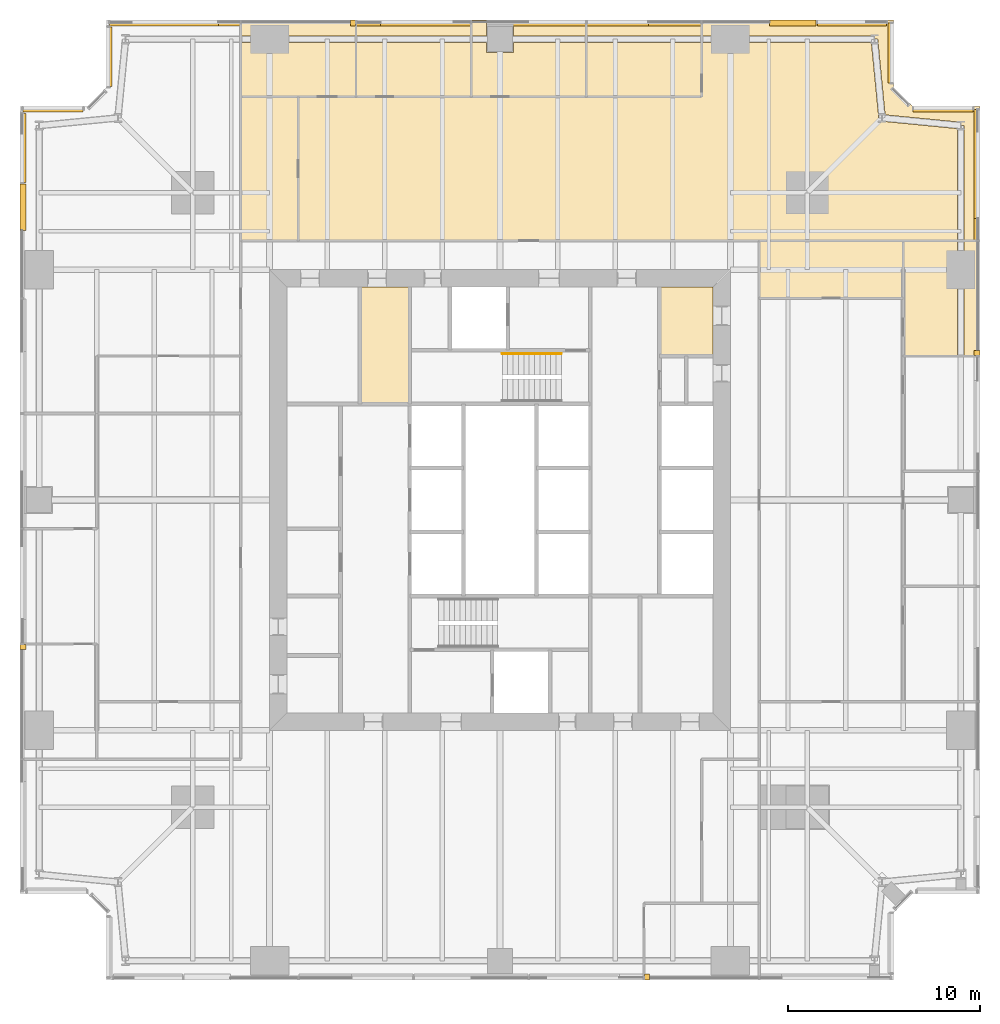
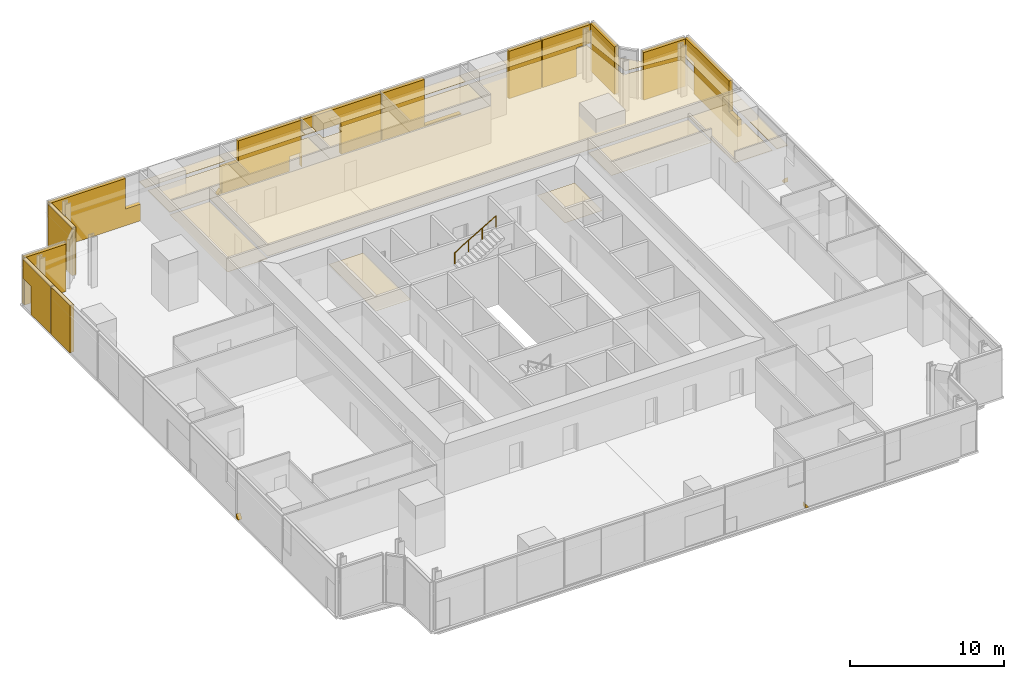
# One storey, part 13 of 13: 34 coverings, 1 railing.
"""IFC4 building model written with IfcOpenShell, lengths in metres."""

from ifc_helpers import new_model, si_unit, direction, frame, origin, origin_2d, place, context, subcontext, project, spatial, polyline, circle, outline, extrude, material, layer, layer_set, type_object, element, save


model = new_model("IFC4")

# Units and contexts
model_context = context("Model", 3, precision=1e-05, world=origin(), true_north=direction((0.0, 1.0)))
body_context = subcontext(model_context, "Body", "Model", "MODEL_VIEW")
ifc_project = project(units=[si_unit("LENGTHUNIT", "METRE"), si_unit("AREAUNIT", "SQUARE_METRE"), si_unit("VOLUMEUNIT", "CUBIC_METRE"), si_unit("PLANEANGLEUNIT", "RADIAN"), si_unit("MASSUNIT", "GRAM", prefix="KILO")], contexts=[model_context])

# Site, building, storey
site_placement = place(None, origin())
site = spatial("IfcSite", under=ifc_project, at=site_placement, CompositionType="ELEMENT")
building_placement = place(site_placement, origin())
building = spatial("IfcBuilding", under=site, at=building_placement, Name="Fenwick Lantern Interchange", CompositionType="ELEMENT")
storey_placement = place(building_placement, frame((0.0, 0.0, 138.39990234375)))
storey = spatial("IfcBuildingStorey", under=building, at=storey_placement, Name="L32", CompositionType="ELEMENT", Elevation=138.39990234375)

# Coverings
ifc_material_1 = material(Name="Mineral fibre acoustic tile on suspended grid")
ifc_layer_1 = layer(ifc_material_1, 0.02001953125)
ifc_layer_set_1 = layer_set([ifc_layer_1], Name="ACOUSTIC TILE CEILING 20")
covering_type_1 = type_object("IfcCoveringType", Name="ACOUSTIC TILE CEILING 20", PredefinedType="CEILING", material=ifc_layer_set_1)
covering_1_placement = place(storey_placement, frame((0.0, 0.0, 2.900146484375)))
element("IfcCovering", 1, at=covering_1_placement, inside=storey, type_object=covering_type_1, Name="Office ceiling", PredefinedType="CEILING", context=body_context, shape_type="SweptSolid", body=[
    extrude(outline(polyline([(46.0, 32.5), (48.82763671875, 32.5), (48.82763671875, 37.0), (48.82763671875, 38.5), (46.0, 38.5), (46.0, 32.5)])), origin(), (0.0, 0.0, 1.0), 0.02001953125),
])
covering_2_placement = place(storey_placement, frame((0.0, 0.0, 2.900146484375)))
element("IfcCovering", 2, at=covering_2_placement, inside=storey, type_object=covering_type_1, Name="Office ceiling", PredefinedType="CEILING", context=body_context, shape_type="SweptSolid", body=[
    extrude(outline(polyline([(50.0, 38.5), (49.17236328125, 38.5), (49.17236328125, 37.0), (49.17236328125, 32.5), (50.0, 32.5), (50.0, 38.5)])), origin(), (0.0, 0.0, 1.0), 0.02001953125),
])
covering_3_placement = place(storey_placement, frame((0.0, 0.0, 2.900146484375)))
element("IfcCovering", 3, at=covering_3_placement, inside=storey, type_object=covering_type_1, Name="Office suite ceiling", PredefinedType="CEILING", context=body_context, shape_type="SweptSolid", body=[
    extrude(outline(polyline([(14.5, 38.5), (48.82763671875, 38.5), (48.82763671875, 44.343505859375), (44.88330078125, 44.728515625), (44.89990234375, 44.89990234375), (44.728515625, 44.88330078125), (44.343505859375, 48.82763671875), (37.0, 48.82763671875), (35.5, 48.82763671875), (35.5, 46.0), (14.5, 46.0), (14.5, 38.5)])), origin(), (0.0, 0.0, 1.0), 0.02001953125),
])
covering_4_placement = place(storey_placement, frame((0.0, 0.0, 2.900146484375)))
element("IfcCovering", 4, at=covering_4_placement, inside=storey, type_object=covering_type_1, Name="Office suite ceiling", PredefinedType="CEILING", context=body_context, shape_type="SweptSolid", body=[
    extrude(outline(polyline([(50.0, 38.5), (50.0, 45.5), (46.5, 45.5), (45.5, 46.5), (45.5, 50.0), (35.5, 50.0), (35.5, 49.17236328125), (37.0, 49.17236328125), (44.5, 49.17236328125), (44.5, 49.0), (44.671630859375, 49.016845703125), (45.057861328125, 45.057861328125), (49.016845703125, 44.671630859375), (49.0, 44.5), (49.17236328125, 44.5), (49.17236328125, 38.5), (50.0, 38.5)])), origin(), (0.0, 0.0, 1.0), 0.02001953125),
])
covering_5_placement = place(storey_placement, frame((0.0, 0.0, 2.900146484375)))
element("IfcCovering", 5, at=covering_5_placement, inside=storey, type_object=covering_type_1, Name="Office ceiling", PredefinedType="CEILING", context=body_context, shape_type="SweptSolid", body=[
    extrude(outline(polyline([(35.5, 46.0), (35.5, 48.82763671875), (29.5, 48.82763671875), (29.5, 46.0), (35.5, 46.0)])), origin(), (0.0, 0.0, 1.0), 0.02001953125),
])
covering_6_placement = place(storey_placement, frame((0.0, 0.0, 2.900146484375)))
element("IfcCovering", 6, at=covering_6_placement, inside=storey, type_object=covering_type_1, Name="Office ceiling", PredefinedType="CEILING", context=body_context, shape_type="SweptSolid", body=[
    extrude(outline(polyline([(29.5, 50.0), (29.5, 49.17236328125), (35.5, 49.17236328125), (35.5, 50.0), (29.5, 50.0)])), origin(), (0.0, 0.0, 1.0), 0.02001953125),
])
covering_7_placement = place(storey_placement, frame((0.0, 0.0, 2.900146484375)))
element("IfcCovering", 7, at=covering_7_placement, inside=storey, type_object=covering_type_1, Name="Office ceiling", PredefinedType="CEILING", context=body_context, shape_type="SweptSolid", body=[
    extrude(outline(polyline([(29.5, 46.0), (29.5, 48.82763671875), (25.699951171875, 48.82763671875), (25.699951171875, 48.300048828125), (24.300048828125, 48.300048828125), (24.300048828125, 48.82763671875), (23.5, 48.82763671875), (23.5, 46.0), (29.5, 46.0)])), origin(), (0.0, 0.0, 1.0), 0.02001953125),
])
covering_8_placement = place(storey_placement, frame((0.0, 0.0, 2.900146484375)))
element("IfcCovering", 8, at=covering_8_placement, inside=storey, type_object=covering_type_1, Name="Office ceiling", PredefinedType="CEILING", context=body_context, shape_type="SweptSolid", body=[
    extrude(outline(polyline([(29.5, 49.17236328125), (29.5, 50.0), (25.699951171875, 50.0), (25.699951171875, 49.17236328125), (29.5, 49.17236328125)])), origin(), (0.0, 0.0, 1.0), 0.02001953125),
])
covering_9_placement = place(storey_placement, frame((0.0, 0.0, 2.900146484375)))
element("IfcCovering", 9, at=covering_9_placement, inside=storey, type_object=covering_type_1, Name="Office ceiling", PredefinedType="CEILING", context=body_context, shape_type="SweptSolid", body=[
    extrude(outline(polyline([(23.5, 50.0), (23.5, 49.17236328125), (24.300048828125, 49.17236328125), (24.300048828125, 50.0), (23.5, 50.0)])), origin(), (0.0, 0.0, 1.0), 0.02001953125),
])
covering_10_placement = place(storey_placement, frame((0.0, 0.0, 2.900146484375)))
element("IfcCovering", 10, at=covering_10_placement, inside=storey, type_object=covering_type_1, Name="Office ceiling", PredefinedType="CEILING", context=body_context, shape_type="SweptSolid", body=[
    extrude(outline(polyline([(23.5, 46.0), (23.5, 48.82763671875), (17.5, 48.82763671875), (17.5, 46.0), (23.5, 46.0)])), origin(), (0.0, 0.0, 1.0), 0.02001953125),
])
covering_11_placement = place(storey_placement, frame((0.0, 0.0, 2.900146484375)))
element("IfcCovering", 11, at=covering_11_placement, inside=storey, type_object=covering_type_1, Name="Office ceiling", PredefinedType="CEILING", context=body_context, shape_type="SweptSolid", body=[
    extrude(outline(polyline([(17.5, 50.0), (17.5, 49.17236328125), (23.5, 49.17236328125), (23.5, 50.0), (17.5, 50.0)])), origin(), (0.0, 0.0, 1.0), 0.02001953125),
])
covering_12_placement = place(storey_placement, frame((0.0, 0.0, 2.900146484375)))
element("IfcCovering", 12, at=covering_12_placement, inside=storey, type_object=covering_type_1, Name="Meeting room ceiling", PredefinedType="CEILING", context=body_context, shape_type="SweptSolid", body=[
    extrude(outline(polyline([(17.5, 46.0), (17.5, 48.82763671875), (13.0, 48.82763671875), (11.5, 48.82763671875), (11.5, 46.0), (17.5, 46.0)])), origin(), (0.0, 0.0, 1.0), 0.02001953125),
])
covering_13_placement = place(storey_placement, frame((0.0, 0.0, 2.900146484375)))
element("IfcCovering", 13, at=covering_13_placement, inside=storey, type_object=covering_type_1, Name="Meeting room ceiling", PredefinedType="CEILING", context=body_context, shape_type="SweptSolid", body=[
    extrude(outline(polyline([(11.5, 50.0), (11.5, 49.17236328125), (13.0, 49.17236328125), (17.5, 49.17236328125), (17.5, 50.0), (11.5, 50.0)])), origin(), (0.0, 0.0, 1.0), 0.02001953125),
])
ifc_material_2 = material(Name="Granite cladding, warm grey flamed finish, on aluminium carrier frame", Category="masonry")
ifc_layer_2 = layer(ifc_material_2, 0.300048828125)
ifc_layer_set_2 = layer_set([ifc_layer_2], Name="BRACE CASING PANEL 300")
covering_type_2 = type_object("IfcCoveringType", Name="BRACE CASING PANEL 300", PredefinedType="CLADDING", material=ifc_layer_set_2)
for number, where, z_axis, x_axis, name in (
    (14, (4.60009765625, 0.10009765625, 0.0), (0.0, 0.0, 1.0), (1.0, 0.0, 0.0), "Brace casing 01 bay 05a"),
    (15, (49.89990234375, 4.60009765625, 0.0), (0.0, 0.0, 1.0), (0.0, 1.0, 0.0), "Brace casing 05 bay 05a"),
):
    element("IfcCovering", number, at=place(storey_placement, frame(where, z_axis=z_axis, x_axis=x_axis)), inside=storey, type_object=covering_type_2, Name=name, PredefinedType="CLADDING", context=body_context, shape_type="SweptSolid", body=[
        extrude(outline(polyline([(27.9326171875, 0.0), (28.195556640625, 0.0), (27.9326171875, 0.350830078125), (27.9326171875, 0.0)])), frame((0.0, 0.2001953125, 0.0), z_axis=(0.0, -1.0, 0.0), x_axis=(1.0, 0.0, 0.0)), (0.0, 0.0, 1.0), 0.300048828125),
    ])
covering_14_placement = place(storey_placement, frame((49.89990234375, 4.60009765625, 0.0), z_axis=(0.0, 0.0, 1.0), x_axis=(0.0, 1.0, 0.0)))
element("IfcCovering", 16, at=covering_14_placement, inside=storey, type_object=covering_type_2, Name="Brace casing 05 bay 06a", PredefinedType="CLADDING", context=body_context, shape_type="SweptSolid", body=[
    extrude(outline(polyline([(33.9326171875, 0.0), (39.576904296875, 0.0), (39.576904296875, 2.464111328125), (40.735107421875, 2.464111328125), (40.735107421875, 3.75), (35.067626953125, 3.75), (35.067626953125, 1.32568359375), (33.9326171875, 1.32568359375), (33.9326171875, 0.0)])), frame((0.0, 0.2001953125, 0.0), z_axis=(0.0, -1.0, 0.0), x_axis=(1.0, 0.0, 0.0)), (0.0, 0.0, 1.0), 0.300048828125),
])
for number, where, z_axis, x_axis, name in (
    (17, (49.89990234375, 45.39990234375, 0.0), (0.0, 0.0, 1.0), (-1.0, 0.0, 0.0), "Brace casing 06 bay 00a"),
    (18, (45.39990234375, 46.45849609375, 0.0), (0.0, 0.0, 1.0), (0.0, 1.0, 0.0), "Brace casing 08 bay 00a"),
):
    element("IfcCovering", number, at=place(storey_placement, frame(where, z_axis=z_axis, x_axis=x_axis)), inside=storey, type_object=covering_type_2, Name=name, PredefinedType="CLADDING", context=body_context, shape_type="SweptSolid", body=[
        extrude(outline(polyline([(0.264892578125, 0.0), (3.37646484375, 0.0), (3.37646484375, 3.75), (0.264892578125, 3.75), (0.264892578125, 0.0)])), frame((0.0, 0.2001953125, 0.0), z_axis=(0.0, -1.0, 0.0), x_axis=(1.0, 0.0, 0.0)), (0.0, 0.0, 1.0), 0.300048828125),
    ])
covering_15_placement = place(storey_placement, frame((45.39990234375, 49.89990234375, 0.0), z_axis=(0.0, 0.0, 1.0), x_axis=(-1.0, 0.0, 0.0)))
element("IfcCovering", 19, at=covering_15_placement, inside=storey, type_object=covering_type_2, Name="Brace casing 09 bay 00a", PredefinedType="CLADDING", context=body_context, shape_type="SweptSolid", body=[
    extrude(outline(polyline([(1.320068359375, 0.0), (3.867431640625, 0.0), (3.867431640625, 3.75), (0.264892578125, 3.75), (0.264892578125, 2.257080078125), (1.320068359375, 2.257080078125), (1.320068359375, 0.0)])), frame((0.0, 0.2001953125, 0.0), z_axis=(0.0, -1.0, 0.0), x_axis=(1.0, 0.0, 0.0)), (0.0, 0.0, 1.0), 0.300048828125),
])
covering_16_placement = place(storey_placement, frame((45.39990234375, 49.89990234375, 0.0), z_axis=(0.0, 0.0, 1.0), x_axis=(-1.0, 0.0, 0.0)))
element("IfcCovering", 20, at=covering_16_placement, inside=storey, type_object=covering_type_2, Name="Brace casing 09 bay 01a", PredefinedType="CLADDING", context=body_context, shape_type="SweptSolid", body=[
    extrude(outline(polyline([(3.9326171875, 0.0), (6.35595703125, 0.0), (6.35595703125, 3.75), (3.9326171875, 3.75), (3.9326171875, 0.0)])), frame((0.0, 0.2001953125, 0.0), z_axis=(0.0, -1.0, 0.0), x_axis=(1.0, 0.0, 0.0)), (0.0, 0.0, 1.0), 0.300048828125),
])
covering_17_placement = place(storey_placement, frame((45.39990234375, 49.89990234375, 0.0), z_axis=(0.0, 0.0, 1.0), x_axis=(-1.0, 0.0, 0.0)))
element("IfcCovering", 21, at=covering_17_placement, inside=storey, type_object=covering_type_2, Name="Brace casing 09 bay 02a", PredefinedType="CLADDING", context=body_context, shape_type="SweptSolid", body=[
    extrude(outline(polyline([(9.9326171875, 0.0), (15.867431640625, 0.0), (15.867431640625, 3.75), (12.672607421875, 3.75), (12.672607421875, 0.0908203125), (9.9326171875, 0.0908203125), (9.9326171875, 0.0)])), frame((0.0, 0.2001953125, 0.0), z_axis=(0.0, -1.0, 0.0), x_axis=(1.0, 0.0, 0.0)), (0.0, 0.0, 1.0), 0.300048828125),
])
covering_18_placement = place(storey_placement, frame((45.39990234375, 49.89990234375, 0.0), z_axis=(0.0, 0.0, 1.0), x_axis=(-1.0, 0.0, 0.0)))
element("IfcCovering", 22, at=covering_18_placement, inside=storey, type_object=covering_type_2, Name="Brace casing 09 bay 03a", PredefinedType="CLADDING", context=body_context, shape_type="SweptSolid", body=[
    extrude(outline(polyline([(15.9326171875, 0.0), (18.9345703125, 0.0), (18.9345703125, 2.440185546875), (21.864501953125, 2.440185546875), (21.864501953125, 0.0), (21.867431640625, 0.0), (21.867431640625, 3.75), (15.9326171875, 3.75), (15.9326171875, 0.0)])), frame((0.0, 0.2001953125, 0.0), z_axis=(0.0, -1.0, 0.0), x_axis=(1.0, 0.0, 0.0)), (0.0, 0.0, 1.0), 0.300048828125),
])
covering_19_placement = place(storey_placement, frame((45.39990234375, 49.89990234375, 0.0), z_axis=(0.0, 0.0, 1.0), x_axis=(-1.0, 0.0, 0.0)))
element("IfcCovering", 23, at=covering_19_placement, inside=storey, type_object=covering_type_2, Name="Brace casing 09 bay 04a", PredefinedType="CLADDING", context=body_context, shape_type="SweptSolid", body=[
    extrude(outline(polyline([(22.8125, 0.0), (27.867431640625, 0.0), (27.867431640625, 2.0966796875), (26.623046875, 2.0966796875), (26.623046875, 3.75), (21.9326171875, 3.75), (21.9326171875, 1.177490234375), (22.8125, 1.177490234375), (22.8125, 0.0)])), frame((0.0, 0.2001953125, 0.0), z_axis=(0.0, -1.0, 0.0), x_axis=(1.0, 0.0, 0.0)), (0.0, 0.0, 1.0), 0.300048828125),
])
covering_20_placement = place(storey_placement, frame((45.39990234375, 49.89990234375, 0.0), z_axis=(0.0, 0.0, 1.0), x_axis=(-1.0, 0.0, 0.0)))
element("IfcCovering", 24, at=covering_20_placement, inside=storey, type_object=covering_type_2, Name="Brace casing 09 bay 05a", PredefinedType="CLADDING", context=body_context, shape_type="SweptSolid", body=[
    extrude(outline(polyline([(27.9326171875, 0.0), (28.195556640625, 0.0), (27.9326171875, 0.350830078125), (27.9326171875, 0.0)])), frame((0.0, 0.2001953125, 0.0), z_axis=(0.0, -1.0, 0.0), x_axis=(1.0, 0.0, 0.0)), (0.0, 0.0, 1.0), 0.300048828125),
])
covering_21_placement = place(storey_placement, frame((45.39990234375, 49.89990234375, 0.0), z_axis=(0.0, 0.0, 1.0), x_axis=(-1.0, 0.0, 0.0)))
element("IfcCovering", 25, at=covering_21_placement, inside=storey, type_object=covering_type_2, Name="Brace casing 09 bay 06a", PredefinedType="CLADDING", context=body_context, shape_type="SweptSolid", body=[
    extrude(outline(polyline([(33.9326171875, 0.0), (39.576904296875, 0.0), (39.576904296875, 2.464111328125), (40.735107421875, 2.464111328125), (40.735107421875, 3.75), (35.067626953125, 3.75), (35.067626953125, 1.32568359375), (33.9326171875, 1.32568359375), (33.9326171875, 0.0)])), frame((0.0, 0.2001953125, 0.0), z_axis=(0.0, -1.0, 0.0), x_axis=(1.0, 0.0, 0.0)), (0.0, 0.0, 1.0), 0.300048828125),
])
for number, where, z_axis, x_axis, name in (
    (26, (4.60009765625, 49.89990234375, 0.0), (0.0, 0.0, 1.0), (0.0, -1.0, 0.0), "Brace casing 10 bay 00a"),
    (27, (3.54150390625, 45.39990234375, 0.0), (0.0, 0.0, 1.0), (-1.0, 0.0, 0.0), "Brace casing 12 bay 00a"),
):
    element("IfcCovering", number, at=place(storey_placement, frame(where, z_axis=z_axis, x_axis=x_axis)), inside=storey, type_object=covering_type_2, Name=name, PredefinedType="CLADDING", context=body_context, shape_type="SweptSolid", body=[
        extrude(outline(polyline([(0.264892578125, 0.0), (3.37646484375, 0.0), (3.37646484375, 3.75), (0.264892578125, 3.75), (0.264892578125, 0.0)])), frame((0.0, 0.2001953125, 0.0), z_axis=(0.0, -1.0, 0.0), x_axis=(1.0, 0.0, 0.0)), (0.0, 0.0, 1.0), 0.300048828125),
    ])
covering_22_placement = place(storey_placement, frame((0.10009765625, 45.39990234375, 0.0), z_axis=(0.0, 0.0, 1.0), x_axis=(0.0, -1.0, 0.0)))
element("IfcCovering", 28, at=covering_22_placement, inside=storey, type_object=covering_type_2, Name="Brace casing 13 bay 00a", PredefinedType="CLADDING", context=body_context, shape_type="SweptSolid", body=[
    extrude(outline(polyline([(1.320068359375, 0.0), (3.867431640625, 0.0), (3.867431640625, 3.75), (0.264892578125, 3.75), (0.264892578125, 2.257080078125), (1.320068359375, 2.257080078125), (1.320068359375, 0.0)])), frame((0.0, 0.2001953125, 0.0), z_axis=(0.0, -1.0, 0.0), x_axis=(1.0, 0.0, 0.0)), (0.0, 0.0, 1.0), 0.300048828125),
])
covering_23_placement = place(storey_placement, frame((0.10009765625, 45.39990234375, 0.0), z_axis=(0.0, 0.0, 1.0), x_axis=(0.0, -1.0, 0.0)))
element("IfcCovering", 29, at=covering_23_placement, inside=storey, type_object=covering_type_2, Name="Brace casing 13 bay 01a", PredefinedType="CLADDING", context=body_context, shape_type="SweptSolid", body=[
    extrude(outline(polyline([(3.9326171875, 0.0), (6.35595703125, 0.0), (6.35595703125, 3.75), (3.9326171875, 3.75), (3.9326171875, 0.0)])), frame((0.0, 0.2001953125, 0.0), z_axis=(0.0, -1.0, 0.0), x_axis=(1.0, 0.0, 0.0)), (0.0, 0.0, 1.0), 0.300048828125),
])
covering_24_placement = place(storey_placement, frame((0.10009765625, 45.39990234375, 0.0), z_axis=(0.0, 0.0, 1.0), x_axis=(0.0, -1.0, 0.0)))
element("IfcCovering", 30, at=covering_24_placement, inside=storey, type_object=covering_type_2, Name="Brace casing 13 bay 05a", PredefinedType="CLADDING", context=body_context, shape_type="SweptSolid", body=[
    extrude(outline(polyline([(27.9326171875, 0.0), (28.195556640625, 0.0), (27.9326171875, 0.350830078125), (27.9326171875, 0.0)])), frame((0.0, 0.2001953125, 0.0), z_axis=(0.0, -1.0, 0.0), x_axis=(1.0, 0.0, 0.0)), (0.0, 0.0, 1.0), 0.300048828125),
])

# Railing
ifc_material_3 = material(Name="Stainless steel handrail", Category="steel")
railing_type = type_object("IfcRailingType", Name="HANDRAIL 900", PredefinedType="HANDRAIL", material=ifc_material_3)
railing_placement = place(storey_placement, frame((25.1201171875, 32.6259765625, 2.166748046875)))
element("IfcRailing", 31, at=railing_placement, inside=storey, type_object=railing_type, Name="L32/STAIR/ST2/HR2", PredefinedType="HANDRAIL", context=body_context, shape_type="SweptSolid", body=[
    extrude(circle(Radius=0.02392578125, at=origin_2d()), frame((0.0, 0.0, 0.8759765625), z_axis=(0.859290745958, 0.0, 0.51148745235), x_axis=(0.0, 1.0, 0.0)), (0.0, 0.0, 1.0), 3.584228515625),
    extrude(circle(Radius=0.02099609375, at=origin_2d()), origin(), (0.0, 0.0, 1.0), 0.851806640625),
    extrude(circle(Radius=0.02099609375, at=origin_2d()), frame((1.026611328125, 0.0, 0.611083984375)), (0.0, 0.0, 1.0), 0.851806640625),
    extrude(circle(Radius=0.02099609375, at=origin_2d()), frame((2.05322265625, 0.0, 1.22216796875)), (0.0, 0.0, 1.0), 0.851806640625),
    extrude(circle(Radius=0.02099609375, at=origin_2d()), frame((3.079833984375, 0.0, 1.833251953125)), (0.0, 0.0, 1.0), 0.851806640625),
])

# Coverings
ifc_material_4 = material(Name="Moisture resistant gypsum board on suspended frame, painted")
ifc_layer_3 = layer(ifc_material_4, 0.014892578125)
ifc_layer_set_3 = layer_set([ifc_layer_3], Name="MOISTURE RESISTANT CEILING 15")
covering_type_3 = type_object("IfcCoveringType", Name="MOISTURE RESISTANT CEILING 15", PredefinedType="CEILING", material=ifc_layer_set_3)
covering_25_placement = place(storey_placement, frame((0.0, 0.0, 2.60009765625)))
element("IfcCovering", 32, at=covering_25_placement, inside=storey, type_object=covering_type_3, Name="Men's WC ceiling", PredefinedType="CEILING", context=body_context, shape_type="SweptSolid", body=[
    extrude(outline(polyline([(20.300048828125, 36.10009765625), (17.699951171875, 36.10009765625), (17.699951171875, 30.0), (20.300048828125, 30.0), (20.300048828125, 36.10009765625)])), origin(), (0.0, 0.0, 1.0), 0.014892578125),
])
covering_26_placement = place(storey_placement, frame((0.0, 0.0, 2.60009765625)))
element("IfcCovering", 33, at=covering_26_placement, inside=storey, type_object=covering_type_3, Name="Accessible WC and shower ceiling", PredefinedType="CEILING", context=body_context, shape_type="SweptSolid", body=[
    extrude(outline(polyline([(36.10009765625, 36.10009765625), (33.300048828125, 36.10009765625), (33.300048828125, 32.5), (36.10009765625, 32.5), (36.10009765625, 36.10009765625)])), origin(), (0.0, 0.0, 1.0), 0.014892578125),
])
covering_27_placement = place(storey_placement, frame((0.0, 0.0, 2.7001953125)))
element("IfcCovering", 34, at=covering_27_placement, inside=storey, type_object=covering_type_3, Name="Pantry ceiling", PredefinedType="CEILING", context=body_context, shape_type="SweptSolid", body=[
    extrude(outline(polyline([(46.0, 35.5), (46.0, 38.5), (38.5, 38.5), (38.5, 35.5), (46.0, 35.5)])), origin(), (0.0, 0.0, 1.0), 0.014892578125),
])
covering_28_placement = place(storey_placement, frame((0.0, 0.0, 2.7001953125)))
element("IfcCovering", 35, at=covering_28_placement, inside=storey, type_object=covering_type_3, Name="Pantry ceiling", PredefinedType="CEILING", context=body_context, shape_type="SweptSolid", body=[
    extrude(outline(polyline([(14.5, 46.0), (11.5, 46.0), (11.5, 38.5), (14.5, 38.5), (14.5, 46.0)])), origin(), (0.0, 0.0, 1.0), 0.014892578125),
])

save(model, "model.ifc")
